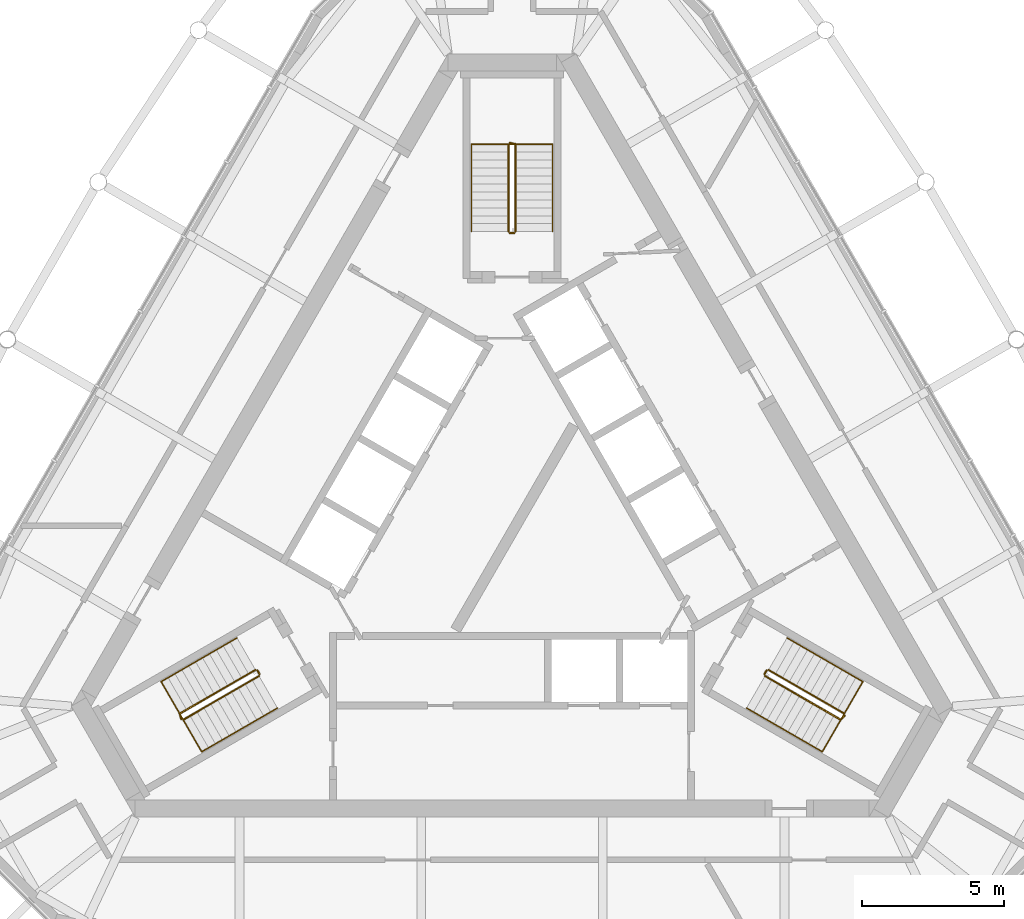
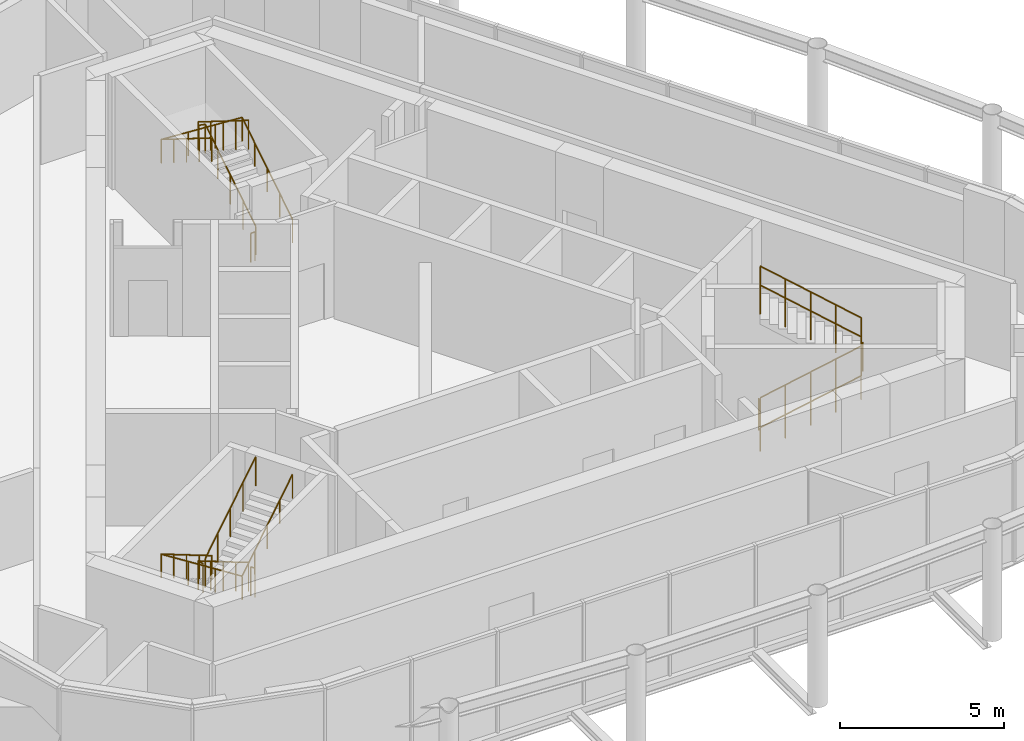
# One storey, part 11 of 11: 12 railings.
"""IFC4 building model written with IfcOpenShell, lengths in metres."""

from ifc_helpers import new_model, si_unit, direction, frame, origin, origin_2d, place, context, subcontext, project, spatial, circle, extrude, material, type_object, element, save


model = new_model("IFC4")

# Units and contexts
model_context = context("Model", 3, precision=1e-05, world=origin(), true_north=direction((0.0, 1.0)))
body_context = subcontext(model_context, "Body", "Model", "MODEL_VIEW")
ifc_project = project(units=[si_unit("LENGTHUNIT", "METRE"), si_unit("AREAUNIT", "SQUARE_METRE"), si_unit("VOLUMEUNIT", "CUBIC_METRE"), si_unit("PLANEANGLEUNIT", "RADIAN"), si_unit("MASSUNIT", "GRAM", prefix="KILO")], contexts=[model_context])

# Site, building, storey
site_placement = place(None, origin())
site = spatial("IfcSite", under=ifc_project, at=site_placement, CompositionType="ELEMENT")
building_placement = place(site_placement, origin())
building = spatial("IfcBuilding", under=site, at=building_placement, Name="Mestral Congress Tower", CompositionType="ELEMENT")
storey_placement = place(building_placement, frame((0.0, 0.0, 344.39990234375)))
storey = spatial("IfcBuildingStorey", under=building, at=storey_placement, Name="L80", CompositionType="ELEMENT", Elevation=344.39990234375)

# Railings
ifc_material_1 = material(Name="Steel balustrade", Category="steel")
railing_type_1 = type_object("IfcRailingType", Name="Stair guard 1100", PredefinedType="GUARDRAIL", material=ifc_material_1)
railing_1_placement = place(storey_placement, frame((8.90087890625, -5.283203125, 0.175048828125)))
element("IfcRailing", 1, at=railing_1_placement, inside=storey, type_object=railing_type_1, Name="L80 ST1 stair guard 1", PredefinedType="GUARDRAIL", context=body_context, shape_type="SweptSolid", body=[
    extrude(circle(Radius=0.02392578125, at=origin_2d()), frame((0.0, 0.0, 1.076171875), z_axis=(0.734364028329, -0.424015404183, 0.530019255228), x_axis=(0.500026652407, 0.866010015463, 0.0)), (0.0, 0.0, 1.0), 3.632080078125),
    extrude(circle(Radius=0.02392578125, at=origin_2d()), frame((2.667236328125, -1.5400390625, 3.0009765625), z_axis=(0.695164929852, 0.718850276695, 0.0), x_axis=(-0.718850276695, 0.695164929852, 0.0)), (0.0, 0.0, 1.0), 0.2060546875),
    extrude(circle(Radius=0.02099609375, at=origin_2d()), origin(), (0.0, 0.0, 1.0), 1.052001953125),
    extrude(circle(Radius=0.02099609375, at=origin_2d()), frame((0.666748046875, -0.385009765625, 0.481201171875)), (0.0, 0.0, 1.0), 1.052001953125),
    extrude(circle(Radius=0.02099609375, at=origin_2d()), frame((1.33349609375, -0.77001953125, 0.96240234375)), (0.0, 0.0, 1.0), 1.052001953125),
    extrude(circle(Radius=0.02099609375, at=origin_2d()), frame((2.00048828125, -1.155029296875, 1.44384765625)), (0.0, 0.0, 1.0), 1.052001953125),
    extrude(circle(Radius=0.02099609375, at=origin_2d()), frame((2.667236328125, -1.5400390625, 1.925048828125)), (0.0, 0.0, 1.0), 1.052001953125),
    extrude(circle(Radius=0.02099609375, at=origin_2d()), frame((2.810546875, -1.391845703125, 1.925048828125)), (0.0, 0.0, 1.0), 1.052001953125),
])
railing_2_placement = place(storey_placement, frame((11.693115234375, -6.606689453125, 2.275146484375)))
element("IfcRailing", 2, at=railing_2_placement, inside=storey, type_object=railing_type_1, Name="L80 ST1 stair guard 2", PredefinedType="GUARDRAIL", context=body_context, shape_type="SweptSolid", body=[
    extrude(circle(Radius=0.02392578125, at=origin_2d()), frame((0.0, 0.0, 1.076171875), z_axis=(-0.734364028329, 0.424015404183, 0.530019255228), x_axis=(-0.500026652407, -0.866010015463, 0.0)), (0.0, 0.0, 1.0), 3.632080078125),
    extrude(circle(Radius=0.02099609375, at=origin_2d()), origin(), (0.0, 0.0, 1.0), 1.052001953125),
    extrude(circle(Radius=0.02099609375, at=origin_2d()), frame((-0.666748046875, 0.385009765625, 0.481201171875)), (0.0, 0.0, 1.0), 1.052001953125),
    extrude(circle(Radius=0.02099609375, at=origin_2d()), frame((-1.33349609375, 0.77001953125, 0.96240234375)), (0.0, 0.0, 1.0), 1.052001953125),
    extrude(circle(Radius=0.02099609375, at=origin_2d()), frame((-2.00048828125, 1.155029296875, 1.44384765625)), (0.0, 0.0, 1.0), 1.052001953125),
    extrude(circle(Radius=0.02099609375, at=origin_2d()), frame((-2.667236328125, 1.5400390625, 1.925048828125)), (0.0, 0.0, 1.0), 1.052001953125),
])
railing_3_placement = place(storey_placement, frame((8.882568359375, -5.21484375, 0.0)))
element("IfcRailing", 3, at=railing_3_placement, inside=storey, type_object=railing_type_1, Name="L80 ST1 stair guard 3", PredefinedType="GUARDRAIL", context=body_context, shape_type="SweptSolid", body=[
    extrude(circle(Radius=0.02392578125, at=origin_2d()), frame((0.0, 0.0, 1.076171875), z_axis=(0.499816412211, 0.866131372301, 0.0), x_axis=(-0.866131372301, 0.499816412211, 0.0)), (0.0, 0.0, 1.0), 0.14990234375),
    extrude(circle(Radius=0.02099609375, at=origin_2d()), origin(), (0.0, 0.0, 1.0), 1.052001953125),
    extrude(circle(Radius=0.02099609375, at=origin_2d()), frame((0.074951171875, 0.1298828125, 0.0)), (0.0, 0.0, 1.0), 1.052001953125),
])
railing_4_placement = place(storey_placement, frame((0.125, 10.35009765625, 0.175048828125)))
element("IfcRailing", 4, at=railing_4_placement, inside=storey, type_object=railing_type_1, Name="L80 ST2 stair guard 1", PredefinedType="GUARDRAIL", context=body_context, shape_type="SweptSolid", body=[
    extrude(circle(Radius=0.02392578125, at=origin_2d()), frame((0.0, 0.0, 1.076171875), z_axis=(0.0, 0.847979421464, 0.530029150871), x_axis=(-1.0, 0.0, 0.0)), (0.0, 0.0, 1.0), 3.632080078125),
    extrude(circle(Radius=0.02392578125, at=origin_2d()), frame((0.0, 3.079833984375, 3.0009765625), z_axis=(-0.970072785993, 0.242814311512, 0.0), x_axis=(-0.242814311512, -0.970072785993, 0.0)), (0.0, 0.0, 1.0), 0.2060546875),
    extrude(circle(Radius=0.02099609375, at=origin_2d()), origin(), (0.0, 0.0, 1.0), 1.052001953125),
    extrude(circle(Radius=0.02099609375, at=origin_2d()), frame((0.0, 0.77001953125, 0.481201171875)), (0.0, 0.0, 1.0), 1.052001953125),
    extrude(circle(Radius=0.02099609375, at=origin_2d()), frame((0.0, 1.5400390625, 0.96240234375)), (0.0, 0.0, 1.0), 1.052001953125),
    extrude(circle(Radius=0.02099609375, at=origin_2d()), frame((0.0, 2.309814453125, 1.44384765625)), (0.0, 0.0, 1.0), 1.052001953125),
    extrude(circle(Radius=0.02099609375, at=origin_2d()), frame((0.0, 3.079833984375, 1.925048828125)), (0.0, 0.0, 1.0), 1.052001953125),
    extrude(circle(Radius=0.02099609375, at=origin_2d()), frame((-0.199951171875, 3.1298828125, 1.925048828125)), (0.0, 0.0, 1.0), 1.052001953125),
])
railing_5_placement = place(storey_placement, frame((-0.125, 13.429931640625, 2.275146484375)))
element("IfcRailing", 5, at=railing_5_placement, inside=storey, type_object=railing_type_1, Name="L80 ST2 stair guard 2", PredefinedType="GUARDRAIL", context=body_context, shape_type="SweptSolid", body=[
    extrude(circle(Radius=0.02392578125, at=origin_2d()), frame((0.0, 0.0, 1.076171875), z_axis=(0.0, -0.847979421464, 0.530029150871), x_axis=(1.0, 0.0, 0.0)), (0.0, 0.0, 1.0), 3.632080078125),
    extrude(circle(Radius=0.02099609375, at=origin_2d()), origin(), (0.0, 0.0, 1.0), 1.052001953125),
    extrude(circle(Radius=0.02099609375, at=origin_2d()), frame((0.0, -0.77001953125, 0.481201171875)), (0.0, 0.0, 1.0), 1.052001953125),
    extrude(circle(Radius=0.02099609375, at=origin_2d()), frame((0.0, -1.5400390625, 0.96240234375)), (0.0, 0.0, 1.0), 1.052001953125),
    extrude(circle(Radius=0.02099609375, at=origin_2d()), frame((0.0, -2.309814453125, 1.44384765625)), (0.0, 0.0, 1.0), 1.052001953125),
    extrude(circle(Radius=0.02099609375, at=origin_2d()), frame((0.0, -3.079833984375, 1.925048828125)), (0.0, 0.0, 1.0), 1.052001953125),
])
railing_6_placement = place(storey_placement, frame((0.074951171875, 10.300048828125, 0.0)))
element("IfcRailing", 6, at=railing_6_placement, inside=storey, type_object=railing_type_1, Name="L80 ST2 stair guard 3", PredefinedType="GUARDRAIL", context=body_context, shape_type="SweptSolid", body=[
    extrude(circle(Radius=0.02392578125, at=origin_2d()), frame((0.0, 0.0, 1.076171875), z_axis=(-1.0, 0.0, 0.0), x_axis=(0.0, -1.0, 0.0)), (0.0, 0.0, 1.0), 0.14990234375),
    extrude(circle(Radius=0.02099609375, at=origin_2d()), origin(), (0.0, 0.0, 1.0), 1.052001953125),
    extrude(circle(Radius=0.02099609375, at=origin_2d()), frame((-0.14990234375, 0.0, 0.0)), (0.0, 0.0, 1.0), 1.052001953125),
])
railing_7_placement = place(storey_placement, frame((-9.02587890625, -5.066650390625, 0.175048828125)))
element("IfcRailing", 7, at=railing_7_placement, inside=storey, type_object=railing_type_1, Name="L80 ST3 stair guard 1", PredefinedType="GUARDRAIL", context=body_context, shape_type="SweptSolid", body=[
    extrude(circle(Radius=0.02392578125, at=origin_2d()), frame((0.0, 0.0, 1.076171875), z_axis=(-0.734364028329, -0.424015404183, 0.530019255228), x_axis=(0.500026652407, -0.866010015463, 0.0)), (0.0, 0.0, 1.0), 3.632080078125),
    extrude(circle(Radius=0.02392578125, at=origin_2d()), frame((-2.667236328125, -1.5400390625, 3.0009765625), z_axis=(0.274721127897, -0.961523947641, 0.0), x_axis=(0.961523947641, 0.274721127897, 0.0)), (0.0, 0.0, 1.0), 0.2060546875),
    extrude(circle(Radius=0.02099609375, at=origin_2d()), origin(), (0.0, 0.0, 1.0), 1.052001953125),
    extrude(circle(Radius=0.02099609375, at=origin_2d()), frame((-0.666748046875, -0.385009765625, 0.481201171875)), (0.0, 0.0, 1.0), 1.052001953125),
    extrude(circle(Radius=0.02099609375, at=origin_2d()), frame((-1.33349609375, -0.77001953125, 0.96240234375)), (0.0, 0.0, 1.0), 1.052001953125),
    extrude(circle(Radius=0.02099609375, at=origin_2d()), frame((-2.00048828125, -1.155029296875, 1.44384765625)), (0.0, 0.0, 1.0), 1.052001953125),
    extrude(circle(Radius=0.02099609375, at=origin_2d()), frame((-2.667236328125, -1.5400390625, 1.925048828125)), (0.0, 0.0, 1.0), 1.052001953125),
    extrude(circle(Radius=0.02099609375, at=origin_2d()), frame((-2.610595703125, -1.73828125, 1.925048828125)), (0.0, 0.0, 1.0), 1.052001953125),
])
railing_8_placement = place(storey_placement, frame((-11.568115234375, -6.8232421875, 2.275146484375)))
element("IfcRailing", 8, at=railing_8_placement, inside=storey, type_object=railing_type_1, Name="L80 ST3 stair guard 2", PredefinedType="GUARDRAIL", context=body_context, shape_type="SweptSolid", body=[
    extrude(circle(Radius=0.02392578125, at=origin_2d()), frame((0.0, 0.0, 1.076171875), z_axis=(0.734364028329, 0.424015404183, 0.530019255228), x_axis=(-0.500026652407, 0.866010015463, 0.0)), (0.0, 0.0, 1.0), 3.632080078125),
    extrude(circle(Radius=0.02099609375, at=origin_2d()), origin(), (0.0, 0.0, 1.0), 1.052001953125),
    extrude(circle(Radius=0.02099609375, at=origin_2d()), frame((0.666748046875, 0.385009765625, 0.481201171875)), (0.0, 0.0, 1.0), 1.052001953125),
    extrude(circle(Radius=0.02099609375, at=origin_2d()), frame((1.33349609375, 0.77001953125, 0.96240234375)), (0.0, 0.0, 1.0), 1.052001953125),
    extrude(circle(Radius=0.02099609375, at=origin_2d()), frame((2.00048828125, 1.155029296875, 1.44384765625)), (0.0, 0.0, 1.0), 1.052001953125),
    extrude(circle(Radius=0.02099609375, at=origin_2d()), frame((2.667236328125, 1.5400390625, 1.925048828125)), (0.0, 0.0, 1.0), 1.052001953125),
])
railing_9_placement = place(storey_placement, frame((-8.95751953125, -5.0849609375, 0.0)))
element("IfcRailing", 9, at=railing_9_placement, inside=storey, type_object=railing_type_1, Name="L80 ST3 stair guard 3", PredefinedType="GUARDRAIL", context=body_context, shape_type="SweptSolid", body=[
    extrude(circle(Radius=0.02392578125, at=origin_2d()), frame((0.0, 0.0, 1.076171875), z_axis=(0.499816412211, -0.866131372301, 0.0), x_axis=(0.866131372301, 0.499816412211, 0.0)), (0.0, 0.0, 1.0), 0.14990234375),
    extrude(circle(Radius=0.02099609375, at=origin_2d()), origin(), (0.0, 0.0, 1.0), 1.052001953125),
    extrude(circle(Radius=0.02099609375, at=origin_2d()), frame((0.074951171875, -0.1298828125, 0.0)), (0.0, 0.0, 1.0), 1.052001953125),
])
ifc_material_2 = material(Name="Steel handrail", Category="steel")
railing_type_2 = type_object("IfcRailingType", Name="Stair handrail 900", PredefinedType="HANDRAIL", material=ifc_material_2)
railing_10_placement = place(storey_placement, frame((8.2509765625, -6.4091796875, 0.175048828125)))
element("IfcRailing", 10, at=railing_10_placement, inside=storey, type_object=railing_type_2, Name="L80 ST1 stair handrail 1", PredefinedType="HANDRAIL", context=body_context, shape_type="SweptSolid", body=[
    extrude(circle(Radius=0.02392578125, at=origin_2d()), frame((0.0, 0.0, 0.8759765625), z_axis=(0.734384958227, -0.423960268333, 0.530034361155), x_axis=(0.499967199496, 0.866044340336, 0.0)), (0.0, 0.0, 1.0), 3.6318359375),
    extrude(circle(Radius=0.02392578125, at=origin_2d()), frame((2.667236328125, -1.539794921875, 2.80078125), z_axis=(0.499095769026, 0.864375386171, 0.061307463833), x_axis=(-0.866004402611, 0.500036373335, 0.0)), (0.0, 0.0, 1.0), 2.855224609375),
    extrude(circle(Radius=0.02392578125, at=origin_2d()), frame((4.09228515625, 0.92822265625, 2.97607421875), z_axis=(-0.734394994316, 0.423994474112, 0.52999309264), x_axis=(-0.499992328818, -0.866029832698, 0.0)), (0.0, 0.0, 1.0), 3.63232421875),
    extrude(circle(Radius=0.02099609375, at=origin_2d()), origin(), (0.0, 0.0, 1.0), 0.851806640625),
    extrude(circle(Radius=0.02099609375, at=origin_2d()), frame((0.666748046875, -0.385009765625, 0.481201171875)), (0.0, 0.0, 1.0), 0.851806640625),
    extrude(circle(Radius=0.02099609375, at=origin_2d()), frame((1.33349609375, -0.77001953125, 0.96240234375)), (0.0, 0.0, 1.0), 0.851806640625),
    extrude(circle(Radius=0.02099609375, at=origin_2d()), frame((2.00048828125, -1.15478515625, 1.44384765625)), (0.0, 0.0, 1.0), 0.851806640625),
    extrude(circle(Radius=0.02099609375, at=origin_2d()), frame((2.667236328125, -1.539794921875, 1.925048828125)), (0.0, 0.0, 1.0), 0.851806640625),
    extrude(circle(Radius=0.02099609375, at=origin_2d()), frame((3.142333984375, -0.717041015625, 1.9833984375)), (0.0, 0.0, 1.0), 0.851806640625),
    extrude(circle(Radius=0.02099609375, at=origin_2d()), frame((3.6171875, 0.10546875, 2.041748046875)), (0.0, 0.0, 1.0), 0.851806640625),
    extrude(circle(Radius=0.02099609375, at=origin_2d()), frame((4.09228515625, 0.92822265625, 2.10009765625)), (0.0, 0.0, 1.0), 0.851806640625),
    extrude(circle(Radius=0.02099609375, at=origin_2d()), frame((3.42529296875, 1.313232421875, 2.581298828125)), (0.0, 0.0, 1.0), 0.851806640625),
    extrude(circle(Radius=0.02099609375, at=origin_2d()), frame((2.758544921875, 1.6982421875, 3.0625)), (0.0, 0.0, 1.0), 0.851806640625),
    extrude(circle(Radius=0.02099609375, at=origin_2d()), frame((2.091796875, 2.083251953125, 3.5439453125)), (0.0, 0.0, 1.0), 0.851806640625),
    extrude(circle(Radius=0.02099609375, at=origin_2d()), frame((1.4248046875, 2.46826171875, 4.025146484375)), (0.0, 0.0, 1.0), 0.851806640625),
])
railing_11_placement = place(storey_placement, frame((1.425048828125, 10.35009765625, 0.175048828125)))
element("IfcRailing", 11, at=railing_11_placement, inside=storey, type_object=railing_type_2, Name="L80 ST2 stair handrail 1", PredefinedType="HANDRAIL", context=body_context, shape_type="SweptSolid", body=[
    extrude(circle(Radius=0.02392578125, at=origin_2d()), frame((0.0, 0.0, 0.8759765625), z_axis=(0.0, 0.847979421464, 0.530029150871), x_axis=(-1.0, 0.0, 0.0)), (0.0, 0.0, 1.0), 3.632080078125),
    extrude(circle(Radius=0.02392578125, at=origin_2d()), frame((0.0, 3.079833984375, 2.80078125), z_axis=(-0.998119201106, 0.0, 0.061303021003), x_axis=(0.0, -1.0, 0.0)), (0.0, 0.0, 1.0), 2.85546875),
    extrude(circle(Radius=0.02392578125, at=origin_2d()), frame((-2.85009765625, 3.079833984375, 2.97607421875), z_axis=(0.0, -0.847979421464, 0.530029150871), x_axis=(1.0, 0.0, 0.0)), (0.0, 0.0, 1.0), 3.632080078125),
    extrude(circle(Radius=0.02099609375, at=origin_2d()), origin(), (0.0, 0.0, 1.0), 0.851806640625),
    extrude(circle(Radius=0.02099609375, at=origin_2d()), frame((0.0, 0.77001953125, 0.481201171875)), (0.0, 0.0, 1.0), 0.851806640625),
    extrude(circle(Radius=0.02099609375, at=origin_2d()), frame((0.0, 1.5400390625, 0.96240234375)), (0.0, 0.0, 1.0), 0.851806640625),
    extrude(circle(Radius=0.02099609375, at=origin_2d()), frame((0.0, 2.309814453125, 1.44384765625)), (0.0, 0.0, 1.0), 0.851806640625),
    extrude(circle(Radius=0.02099609375, at=origin_2d()), frame((0.0, 3.079833984375, 1.925048828125)), (0.0, 0.0, 1.0), 0.851806640625),
    extrude(circle(Radius=0.02099609375, at=origin_2d()), frame((-0.949951171875, 3.079833984375, 1.9833984375)), (0.0, 0.0, 1.0), 0.851806640625),
    extrude(circle(Radius=0.02099609375, at=origin_2d()), frame((-1.900146484375, 3.079833984375, 2.041748046875)), (0.0, 0.0, 1.0), 0.851806640625),
    extrude(circle(Radius=0.02099609375, at=origin_2d()), frame((-2.85009765625, 3.079833984375, 2.10009765625)), (0.0, 0.0, 1.0), 0.851806640625),
    extrude(circle(Radius=0.02099609375, at=origin_2d()), frame((-2.85009765625, 2.309814453125, 2.581298828125)), (0.0, 0.0, 1.0), 0.851806640625),
    extrude(circle(Radius=0.02099609375, at=origin_2d()), frame((-2.85009765625, 1.5400390625, 3.0625)), (0.0, 0.0, 1.0), 0.851806640625),
    extrude(circle(Radius=0.02099609375, at=origin_2d()), frame((-2.85009765625, 0.77001953125, 3.5439453125)), (0.0, 0.0, 1.0), 0.851806640625),
    extrude(circle(Radius=0.02099609375, at=origin_2d()), frame((-2.85009765625, 0.0, 4.025146484375)), (0.0, 0.0, 1.0), 0.851806640625),
])
railing_12_placement = place(storey_placement, frame((-9.67578125, -3.94091796875, 0.175048828125)))
element("IfcRailing", 12, at=railing_12_placement, inside=storey, type_object=railing_type_2, Name="L80 ST3 stair handrail 1", PredefinedType="HANDRAIL", context=body_context, shape_type="SweptSolid", body=[
    extrude(circle(Radius=0.02392578125, at=origin_2d()), frame((0.0, 0.0, 0.8759765625), z_axis=(-0.734394994316, -0.423994474112, 0.52999309264), x_axis=(0.499992328818, -0.866029832698, 0.0)), (0.0, 0.0, 1.0), 3.63232421875),
    extrude(circle(Radius=0.02392578125, at=origin_2d()), frame((-2.66748046875, -1.5400390625, 2.80078125), z_axis=(0.499095769026, -0.864375386171, 0.061307463833), x_axis=(0.866004402611, 0.500036373335, 0.0)), (0.0, 0.0, 1.0), 2.855224609375),
    extrude(circle(Radius=0.02392578125, at=origin_2d()), frame((-1.242431640625, -4.008056640625, 2.97607421875), z_axis=(0.734384958227, 0.423960268333, 0.530034361155), x_axis=(-0.499967199496, 0.866044340336, 0.0)), (0.0, 0.0, 1.0), 3.6318359375),
    extrude(circle(Radius=0.02099609375, at=origin_2d()), origin(), (0.0, 0.0, 1.0), 0.851806640625),
    extrude(circle(Radius=0.02099609375, at=origin_2d()), frame((-0.6669921875, -0.385009765625, 0.481201171875)), (0.0, 0.0, 1.0), 0.851806640625),
    extrude(circle(Radius=0.02099609375, at=origin_2d()), frame((-1.333740234375, -0.77001953125, 0.96240234375)), (0.0, 0.0, 1.0), 0.851806640625),
    extrude(circle(Radius=0.02099609375, at=origin_2d()), frame((-2.00048828125, -1.155029296875, 1.44384765625)), (0.0, 0.0, 1.0), 0.851806640625),
    extrude(circle(Radius=0.02099609375, at=origin_2d()), frame((-2.66748046875, -1.5400390625, 1.925048828125)), (0.0, 0.0, 1.0), 0.851806640625),
    extrude(circle(Radius=0.02099609375, at=origin_2d()), frame((-2.1923828125, -2.36279296875, 1.9833984375)), (0.0, 0.0, 1.0), 0.851806640625),
    extrude(circle(Radius=0.02099609375, at=origin_2d()), frame((-1.717529296875, -3.185302734375, 2.041748046875)), (0.0, 0.0, 1.0), 0.851806640625),
    extrude(circle(Radius=0.02099609375, at=origin_2d()), frame((-1.242431640625, -4.008056640625, 2.10009765625)), (0.0, 0.0, 1.0), 0.851806640625),
    extrude(circle(Radius=0.02099609375, at=origin_2d()), frame((-0.57568359375, -3.623046875, 2.581298828125)), (0.0, 0.0, 1.0), 0.851806640625),
    extrude(circle(Radius=0.02099609375, at=origin_2d()), frame((0.09130859375, -3.23828125, 3.0625)), (0.0, 0.0, 1.0), 0.851806640625),
    extrude(circle(Radius=0.02099609375, at=origin_2d()), frame((0.758056640625, -2.853271484375, 3.5439453125)), (0.0, 0.0, 1.0), 0.851806640625),
    extrude(circle(Radius=0.02099609375, at=origin_2d()), frame((1.4248046875, -2.46826171875, 4.025146484375)), (0.0, 0.0, 1.0), 0.851806640625),
])

save(model, "model.ifc")
